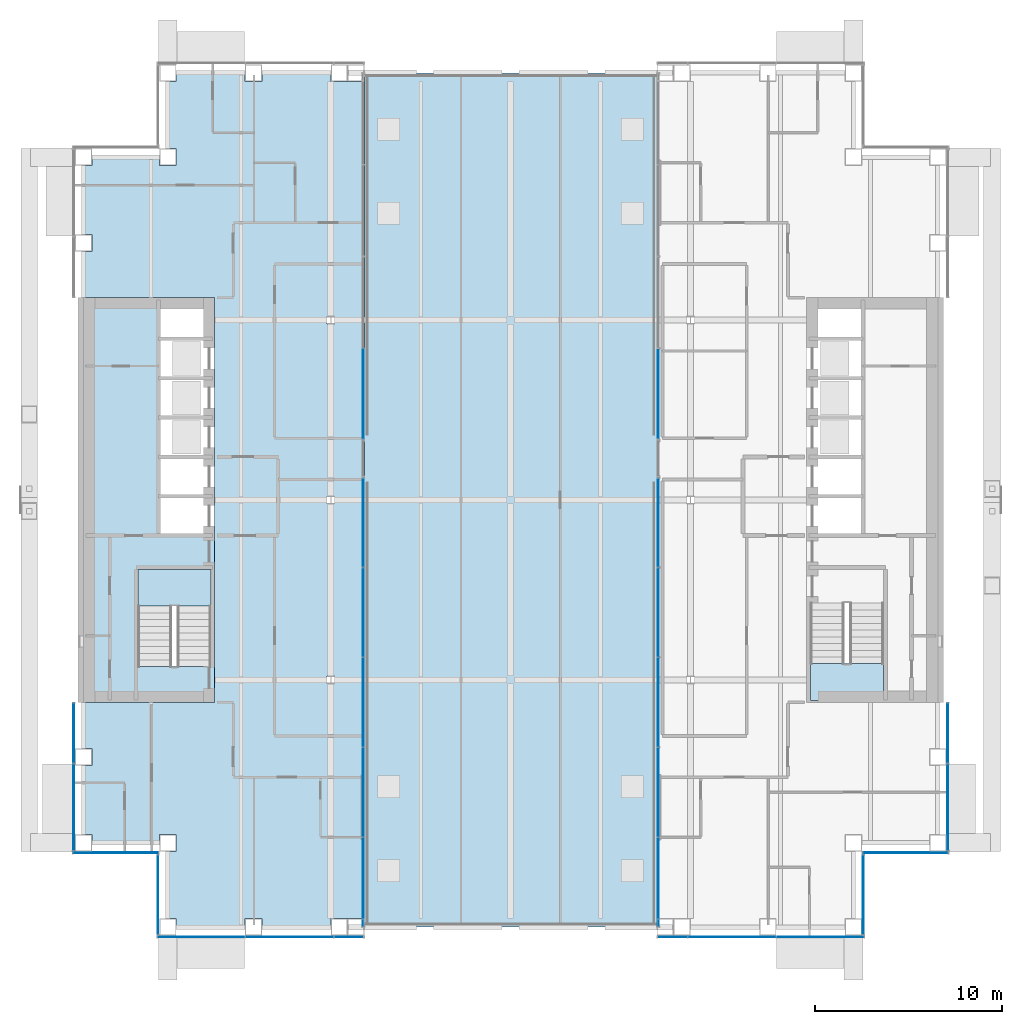
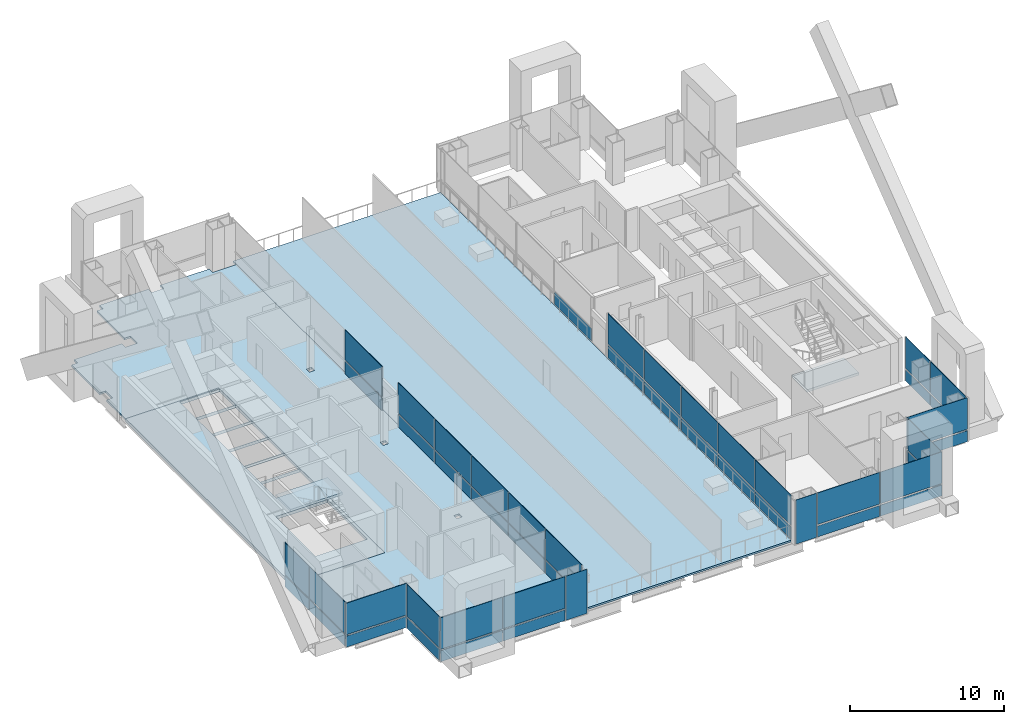
# One storey, part 11 of 20: 49 plates, 5 slabs, 14 elements without a shape of their own.
"""IFC4 building model written with IfcOpenShell, lengths in metres."""

from ifc_helpers import new_model, si_unit, direction, frame, origin, origin_2d, place, context, subcontext, project, spatial, polyline, rectangle, outline, extrude, material, layer, layer_set, type_object, element, aggregate, save


model = new_model("IFC4")

# Units and contexts
model_context = context("Model", 3, precision=1e-05, world=origin(), true_north=direction((0.0, 1.0)))
body_context = subcontext(model_context, "Body", "Model", "MODEL_VIEW")
ifc_project = project(units=[si_unit("LENGTHUNIT", "METRE"), si_unit("AREAUNIT", "SQUARE_METRE"), si_unit("VOLUMEUNIT", "CUBIC_METRE"), si_unit("PLANEANGLEUNIT", "RADIAN"), si_unit("MASSUNIT", "GRAM", prefix="KILO")], contexts=[model_context])

# Site, building, storey
site_placement = place(None, origin())
site = spatial("IfcSite", under=ifc_project, at=site_placement, CompositionType="ELEMENT")
building_placement = place(site_placement, origin())
building = spatial("IfcBuilding", under=site, at=building_placement, Name="Cobrizo Arcos Hotel Tower", CompositionType="ELEMENT")
storey_placement = place(building_placement, frame((0.0, 0.0, 117.0)))
storey = spatial("IfcBuildingStorey", under=building, at=storey_placement, Name="L29", CompositionType="ELEMENT", Elevation=117.0)

# Curtain wall, plates
ifc_material_1 = material(Name="Aluminium 6063-T6 anodised bronze", Category="aluminium")
curtain_wall_type_1 = type_object("IfcCurtainWallType", Name="CW-A guest facade", PredefinedType="NOTDEFINED", material=ifc_material_1)
curtain_wall_1_placement = place(storey_placement, origin())
curtain_wall_1 = element("IfcCurtainWall", 1, at=curtain_wall_1_placement, inside=storey, type_object=curtain_wall_type_1, Name="CW-A L29 S face", PredefinedType="NOTDEFINED")
ifc_material_2 = material(Name="Glass clear laminated low-e", Category="glass")
ifc_layer_1 = layer(ifc_material_2, 0.0400390625)
ifc_layer_set_1 = layer_set([ifc_layer_1], Name="CW-A glass panel")
plate_type_1 = type_object("IfcPlateType", Name="CW-A glass panel", PredefinedType="CURTAIN_PANEL", material=ifc_layer_set_1)
plate_1_placement = place(storey_placement, frame((-16.5224609375, -23.324951171875, 0.990234375), z_axis=(0.0, 0.0, 1.0), x_axis=(1.0, 0.0, 0.0)))
plate_1 = element("IfcPlate", 2, at=plate_1_placement, type_object=plate_type_1, Name="CW-A glass panel 1107", PredefinedType="CURTAIN_PANEL", context=body_context, shape_type="SweptSolid", body=[
    extrude(rectangle(XDim=4.635009765625, YDim=0.0400390625, at=origin_2d()), origin(), (0.0, 0.0, 1.0), 2.510009765625),
])
plate_2_placement = place(storey_placement, frame((-11.8125, -23.324951171875, 0.990234375), z_axis=(0.0, 0.0, 1.0), x_axis=(1.0, 0.0, 0.0)))
plate_2 = element("IfcPlate", 3, at=plate_2_placement, type_object=plate_type_1, Name="CW-A glass panel 1108", PredefinedType="CURTAIN_PANEL", context=body_context, shape_type="SweptSolid", body=[
    extrude(rectangle(XDim=4.6650390625, YDim=0.0400390625, at=origin_2d()), origin(), (0.0, 0.0, 1.0), 2.510009765625),
])

curtain_wall_2_placement = place(storey_placement, origin())
curtain_wall_2 = element("IfcCurtainWall", 4, at=curtain_wall_2_placement, inside=storey, type_object=curtain_wall_type_1, Name="CW-A L29 S face", PredefinedType="NOTDEFINED")
plate_3_placement = place(storey_placement, frame((11.8125, -23.324951171875, 0.990234375), z_axis=(0.0, 0.0, 1.0), x_axis=(1.0, 0.0, 0.0)))
plate_3 = element("IfcPlate", 5, at=plate_3_placement, type_object=plate_type_1, Name="CW-A glass panel 1111", PredefinedType="CURTAIN_PANEL", context=body_context, shape_type="SweptSolid", body=[
    extrude(rectangle(XDim=4.6650390625, YDim=0.0400390625, at=origin_2d()), origin(), (0.0, 0.0, 1.0), 2.510009765625),
])
plate_4_placement = place(storey_placement, frame((16.5224609375, -23.324951171875, 0.990234375), z_axis=(0.0, 0.0, 1.0), x_axis=(1.0, 0.0, 0.0)))
plate_4 = element("IfcPlate", 6, at=plate_4_placement, type_object=plate_type_1, Name="CW-A glass panel 1112", PredefinedType="CURTAIN_PANEL", context=body_context, shape_type="SweptSolid", body=[
    extrude(rectangle(XDim=4.635009765625, YDim=0.0400390625, at=origin_2d()), origin(), (0.0, 0.0, 1.0), 2.510009765625),
])

# Curtain wall, plate
curtain_wall_3_placement = place(storey_placement, origin())
curtain_wall_3 = element("IfcCurtainWall", 7, at=curtain_wall_3_placement, inside=storey, type_object=curtain_wall_type_1, Name="CW-A L29 E face", PredefinedType="NOTDEFINED")
plate_5_placement = place(storey_placement, frame((18.824951171875, -21.074951171875, 0.990234375), z_axis=(0.0, 0.0, 1.0), x_axis=(0.0, 1.0, 0.0)))
plate_5 = element("IfcPlate", 8, at=plate_5_placement, type_object=plate_type_1, Name="CW-A glass panel 1113", PredefinedType="CURTAIN_PANEL", context=body_context, shape_type="SweptSolid", body=[
    extrude(rectangle(XDim=4.22998046875, YDim=0.0400390625, at=origin_2d()), origin(), (0.0, 0.0, 1.0), 2.510009765625),
])

curtain_wall_4_placement = place(storey_placement, origin())
curtain_wall_4 = element("IfcCurtainWall", 9, at=curtain_wall_4_placement, inside=storey, type_object=curtain_wall_type_1, Name="CW-A L29 S face", PredefinedType="NOTDEFINED")
plate_6_placement = place(storey_placement, frame((21.074951171875, -18.824951171875, 0.990234375), z_axis=(0.0, 0.0, 1.0), x_axis=(1.0, 0.0, 0.0)))
plate_6 = element("IfcPlate", 10, at=plate_6_placement, type_object=plate_type_1, Name="CW-A glass panel 1114", PredefinedType="CURTAIN_PANEL", context=body_context, shape_type="SweptSolid", body=[
    extrude(rectangle(XDim=4.530029296875, YDim=0.0400390625, at=origin_2d()), origin(), (0.0, 0.0, 1.0), 2.510009765625),
])

# Curtain wall, plates
curtain_wall_5_placement = place(storey_placement, origin())
curtain_wall_5 = element("IfcCurtainWall", 11, at=curtain_wall_5_placement, inside=storey, type_object=curtain_wall_type_1, Name="CW-A L29 E face", PredefinedType="NOTDEFINED")
plate_7_placement = place(storey_placement, frame((23.324951171875, -16.391357421875, 0.990234375), z_axis=(0.0, 0.0, 1.0), x_axis=(0.0, 1.0, 0.0)))
plate_7 = element("IfcPlate", 12, at=plate_7_placement, type_object=plate_type_1, Name="CW-A glass panel 1115", PredefinedType="CURTAIN_PANEL", context=body_context, shape_type="SweptSolid", body=[
    extrude(rectangle(XDim=4.597412109375, YDim=0.0400390625, at=origin_2d()), origin(), (0.0, 0.0, 1.0), 2.510009765625),
])
plate_8_placement = place(storey_placement, frame((23.324951171875, -12.4462890625, 0.990234375), z_axis=(0.0, 0.0, 1.0), x_axis=(0.0, 1.0, 0.0)))
plate_8 = element("IfcPlate", 13, at=plate_8_placement, type_object=plate_type_1, Name="CW-A glass panel 1116", PredefinedType="CURTAIN_PANEL", context=body_context, shape_type="SweptSolid", body=[
    extrude(rectangle(XDim=3.172607421875, YDim=0.0400390625, at=origin_2d()), origin(), (0.0, 0.0, 1.0), 2.510009765625),
])

curtain_wall_6_placement = place(storey_placement, origin())
curtain_wall_6 = element("IfcCurtainWall", 14, at=curtain_wall_6_placement, inside=storey, type_object=curtain_wall_type_1, Name="CW-A L29 W face", PredefinedType="NOTDEFINED")
plate_9_placement = place(storey_placement, frame((-23.324951171875, -12.4462890625, 0.990234375), z_axis=(0.0, 0.0, 1.0), x_axis=(0.0, -1.0, 0.0)))
plate_9 = element("IfcPlate", 15, at=plate_9_placement, type_object=plate_type_1, Name="CW-A glass panel 1131", PredefinedType="CURTAIN_PANEL", context=body_context, shape_type="SweptSolid", body=[
    extrude(rectangle(XDim=3.172607421875, YDim=0.0400390625, at=origin_2d()), origin(), (0.0, 0.0, 1.0), 2.510009765625),
])
plate_10_placement = place(storey_placement, frame((-23.324951171875, -16.391357421875, 0.990234375), z_axis=(0.0, 0.0, 1.0), x_axis=(0.0, -1.0, 0.0)))
plate_10 = element("IfcPlate", 16, at=plate_10_placement, type_object=plate_type_1, Name="CW-A glass panel 1132", PredefinedType="CURTAIN_PANEL", context=body_context, shape_type="SweptSolid", body=[
    extrude(rectangle(XDim=4.597412109375, YDim=0.0400390625, at=origin_2d()), origin(), (0.0, 0.0, 1.0), 2.510009765625),
])

# Curtain wall, plate
curtain_wall_7_placement = place(storey_placement, origin())
curtain_wall_7 = element("IfcCurtainWall", 17, at=curtain_wall_7_placement, inside=storey, type_object=curtain_wall_type_1, Name="CW-A L29 S face", PredefinedType="NOTDEFINED")
plate_11_placement = place(storey_placement, frame((-21.074951171875, -18.824951171875, 0.990234375), z_axis=(0.0, 0.0, 1.0), x_axis=(1.0, 0.0, 0.0)))
plate_11 = element("IfcPlate", 18, at=plate_11_placement, type_object=plate_type_1, Name="CW-A glass panel 1133", PredefinedType="CURTAIN_PANEL", context=body_context, shape_type="SweptSolid", body=[
    extrude(rectangle(XDim=4.530029296875, YDim=0.0400390625, at=origin_2d()), origin(), (0.0, 0.0, 1.0), 2.510009765625),
])

curtain_wall_8_placement = place(storey_placement, origin())
curtain_wall_8 = element("IfcCurtainWall", 19, at=curtain_wall_8_placement, inside=storey, type_object=curtain_wall_type_1, Name="CW-A L29 W face", PredefinedType="NOTDEFINED")
plate_12_placement = place(storey_placement, frame((-18.824951171875, -21.074951171875, 0.990234375), z_axis=(0.0, 0.0, 1.0), x_axis=(0.0, -1.0, 0.0)))
plate_12 = element("IfcPlate", 20, at=plate_12_placement, type_object=plate_type_1, Name="CW-A glass panel 1134", PredefinedType="CURTAIN_PANEL", context=body_context, shape_type="SweptSolid", body=[
    extrude(rectangle(XDim=4.22998046875, YDim=0.0400390625, at=origin_2d()), origin(), (0.0, 0.0, 1.0), 2.510009765625),
])

# Plate
ifc_material_3 = material(Name="Aluminium composite panel pale metal", Category="aluminium")
ifc_layer_2 = layer(ifc_material_3, 0.0400390625)
ifc_layer_set_2 = layer_set([ifc_layer_2], Name="CW-A spandrel panel")
plate_type_2 = type_object("IfcPlateType", Name="CW-A spandrel panel", PredefinedType="CURTAIN_PANEL", material=ifc_layer_set_2)
plate_13_placement = place(storey_placement, frame((-16.5224609375, -23.324951171875, 0.0), z_axis=(0.0, 0.0, 1.0), x_axis=(1.0, 0.0, 0.0)))
plate_13 = element("IfcPlate", 21, at=plate_13_placement, type_object=plate_type_2, Name="CW-A spandrel panel 1107", PredefinedType="CURTAIN_PANEL", context=body_context, shape_type="SweptSolid", body=[
    extrude(rectangle(XDim=4.635009765625, YDim=0.0400390625, at=origin_2d()), origin(), (0.0, 0.0, 1.0), 0.8701171875),
])

plate_14_placement = place(storey_placement, frame((-11.8125, -23.324951171875, 0.0), z_axis=(0.0, 0.0, 1.0), x_axis=(1.0, 0.0, 0.0)))
plate_14 = element("IfcPlate", 22, at=plate_14_placement, type_object=plate_type_2, Name="CW-A spandrel panel 1108", PredefinedType="CURTAIN_PANEL", context=body_context, shape_type="SweptSolid", body=[
    extrude(rectangle(XDim=4.6650390625, YDim=0.0400390625, at=origin_2d()), origin(), (0.0, 0.0, 1.0), 0.8701171875),
])

plate_15_placement = place(storey_placement, frame((-8.639892578125, -23.324951171875, 0.0), z_axis=(0.0, 0.0, 1.0), x_axis=(1.0, 0.0, 0.0)))
plate_15 = element("IfcPlate", 23, at=plate_15_placement, type_object=plate_type_2, Name="CW-A spandrel panel 1109", PredefinedType="CURTAIN_PANEL", context=body_context, shape_type="SweptSolid", body=[
    extrude(rectangle(XDim=1.56005859375, YDim=0.0400390625, at=origin_2d()), origin(), (0.0, 0.0, 1.0), 3.5),
])

aggregate(curtain_wall_1, [plate_13, plate_1, plate_14, plate_2, plate_15])

plate_16_placement = place(storey_placement, frame((8.639892578125, -23.324951171875, 0.0), z_axis=(0.0, 0.0, 1.0), x_axis=(1.0, 0.0, 0.0)))
plate_16 = element("IfcPlate", 24, at=plate_16_placement, type_object=plate_type_2, Name="CW-A spandrel panel 1110", PredefinedType="CURTAIN_PANEL", context=body_context, shape_type="SweptSolid", body=[
    extrude(rectangle(XDim=1.56005859375, YDim=0.0400390625, at=origin_2d()), origin(), (0.0, 0.0, 1.0), 3.5),
])

plate_17_placement = place(storey_placement, frame((11.8125, -23.324951171875, 0.0), z_axis=(0.0, 0.0, 1.0), x_axis=(1.0, 0.0, 0.0)))
plate_17 = element("IfcPlate", 25, at=plate_17_placement, type_object=plate_type_2, Name="CW-A spandrel panel 1111", PredefinedType="CURTAIN_PANEL", context=body_context, shape_type="SweptSolid", body=[
    extrude(rectangle(XDim=4.6650390625, YDim=0.0400390625, at=origin_2d()), origin(), (0.0, 0.0, 1.0), 0.8701171875),
])

plate_18_placement = place(storey_placement, frame((16.5224609375, -23.324951171875, 0.0), z_axis=(0.0, 0.0, 1.0), x_axis=(1.0, 0.0, 0.0)))
plate_18 = element("IfcPlate", 26, at=plate_18_placement, type_object=plate_type_2, Name="CW-A spandrel panel 1112", PredefinedType="CURTAIN_PANEL", context=body_context, shape_type="SweptSolid", body=[
    extrude(rectangle(XDim=4.635009765625, YDim=0.0400390625, at=origin_2d()), origin(), (0.0, 0.0, 1.0), 0.8701171875),
])

aggregate(curtain_wall_2, [plate_16, plate_17, plate_3, plate_18, plate_4])

plate_19_placement = place(storey_placement, frame((18.824951171875, -21.074951171875, 0.0), z_axis=(0.0, 0.0, 1.0), x_axis=(0.0, 1.0, 0.0)))
plate_19 = element("IfcPlate", 27, at=plate_19_placement, type_object=plate_type_2, Name="CW-A spandrel panel 1113", PredefinedType="CURTAIN_PANEL", context=body_context, shape_type="SweptSolid", body=[
    extrude(rectangle(XDim=4.22998046875, YDim=0.0400390625, at=origin_2d()), origin(), (0.0, 0.0, 1.0), 0.8701171875),
])

aggregate(curtain_wall_3, [plate_19, plate_5])

plate_20_placement = place(storey_placement, frame((21.074951171875, -18.824951171875, 0.0), z_axis=(0.0, 0.0, 1.0), x_axis=(1.0, 0.0, 0.0)))
plate_20 = element("IfcPlate", 28, at=plate_20_placement, type_object=plate_type_2, Name="CW-A spandrel panel 1114", PredefinedType="CURTAIN_PANEL", context=body_context, shape_type="SweptSolid", body=[
    extrude(rectangle(XDim=4.530029296875, YDim=0.0400390625, at=origin_2d()), origin(), (0.0, 0.0, 1.0), 0.8701171875),
])

aggregate(curtain_wall_4, [plate_20, plate_6])

plate_21_placement = place(storey_placement, frame((23.324951171875, -16.391357421875, 0.0), z_axis=(0.0, 0.0, 1.0), x_axis=(0.0, 1.0, 0.0)))
plate_21 = element("IfcPlate", 29, at=plate_21_placement, type_object=plate_type_2, Name="CW-A spandrel panel 1115", PredefinedType="CURTAIN_PANEL", context=body_context, shape_type="SweptSolid", body=[
    extrude(rectangle(XDim=4.597412109375, YDim=0.0400390625, at=origin_2d()), origin(), (0.0, 0.0, 1.0), 0.8701171875),
])

plate_22_placement = place(storey_placement, frame((23.324951171875, -12.4462890625, 0.0), z_axis=(0.0, 0.0, 1.0), x_axis=(0.0, 1.0, 0.0)))
plate_22 = element("IfcPlate", 30, at=plate_22_placement, type_object=plate_type_2, Name="CW-A spandrel panel 1116", PredefinedType="CURTAIN_PANEL", context=body_context, shape_type="SweptSolid", body=[
    extrude(rectangle(XDim=3.172607421875, YDim=0.0400390625, at=origin_2d()), origin(), (0.0, 0.0, 1.0), 0.8701171875),
])

aggregate(curtain_wall_5, [plate_21, plate_7, plate_22, plate_8])

plate_23_placement = place(storey_placement, frame((-23.324951171875, -12.4462890625, 0.0), z_axis=(0.0, 0.0, 1.0), x_axis=(0.0, -1.0, 0.0)))
plate_23 = element("IfcPlate", 31, at=plate_23_placement, type_object=plate_type_2, Name="CW-A spandrel panel 1131", PredefinedType="CURTAIN_PANEL", context=body_context, shape_type="SweptSolid", body=[
    extrude(rectangle(XDim=3.172607421875, YDim=0.0400390625, at=origin_2d()), origin(), (0.0, 0.0, 1.0), 0.8701171875),
])

plate_24_placement = place(storey_placement, frame((-23.324951171875, -16.391357421875, 0.0), z_axis=(0.0, 0.0, 1.0), x_axis=(0.0, -1.0, 0.0)))
plate_24 = element("IfcPlate", 32, at=plate_24_placement, type_object=plate_type_2, Name="CW-A spandrel panel 1132", PredefinedType="CURTAIN_PANEL", context=body_context, shape_type="SweptSolid", body=[
    extrude(rectangle(XDim=4.597412109375, YDim=0.0400390625, at=origin_2d()), origin(), (0.0, 0.0, 1.0), 0.8701171875),
])

aggregate(curtain_wall_6, [plate_23, plate_9, plate_24, plate_10])

plate_25_placement = place(storey_placement, frame((-21.074951171875, -18.824951171875, 0.0), z_axis=(0.0, 0.0, 1.0), x_axis=(1.0, 0.0, 0.0)))
plate_25 = element("IfcPlate", 33, at=plate_25_placement, type_object=plate_type_2, Name="CW-A spandrel panel 1133", PredefinedType="CURTAIN_PANEL", context=body_context, shape_type="SweptSolid", body=[
    extrude(rectangle(XDim=4.530029296875, YDim=0.0400390625, at=origin_2d()), origin(), (0.0, 0.0, 1.0), 0.8701171875),
])

aggregate(curtain_wall_7, [plate_25, plate_11])

plate_26_placement = place(storey_placement, frame((-18.824951171875, -21.074951171875, 0.0), z_axis=(0.0, 0.0, 1.0), x_axis=(0.0, -1.0, 0.0)))
plate_26 = element("IfcPlate", 34, at=plate_26_placement, type_object=plate_type_2, Name="CW-A spandrel panel 1134", PredefinedType="CURTAIN_PANEL", context=body_context, shape_type="SweptSolid", body=[
    extrude(rectangle(XDim=4.22998046875, YDim=0.0400390625, at=origin_2d()), origin(), (0.0, 0.0, 1.0), 0.8701171875),
])

aggregate(curtain_wall_8, [plate_26, plate_12])

# Curtain wall, plates
curtain_wall_type_2 = type_object("IfcCurtainWallType", Name="CW-F void screen", PredefinedType="NOTDEFINED", material=ifc_material_1)
curtain_wall_9_placement = place(storey_placement, origin())
curtain_wall_9 = element("IfcCurtainWall", 35, at=curtain_wall_9_placement, inside=storey, type_object=curtain_wall_type_2, Name="CW-F L29 void screen B", PredefinedType="NOTDEFINED")
ifc_layer_3 = layer(ifc_material_2, 0.0400390625)
ifc_layer_set_3 = layer_set([ifc_layer_3], Name="CW-F glass panel")
plate_type_3 = type_object("IfcPlateType", Name="CW-F glass panel", PredefinedType="CURTAIN_PANEL", material=ifc_layer_set_3)
plate_27_placement = place(storey_placement, frame((7.875, -20.385009765625, 0.0), z_axis=(0.0, 0.0, 1.0), x_axis=(0.0, 1.0, 0.0)))
plate_27 = element("IfcPlate", 36, at=plate_27_placement, type_object=plate_type_3, Name="CW-F glass panel 2568", PredefinedType="CURTAIN_PANEL", context=body_context, shape_type="SweptSolid", body=[
    extrude(rectangle(XDim=4.7099609375, YDim=0.0400390625, at=origin_2d()), origin(), (0.0, 0.0, 1.0), 0.989990234375),
])
plate_28_placement = place(storey_placement, frame((7.875, -20.385009765625, 1.10986328125), z_axis=(0.0, 0.0, 1.0), x_axis=(0.0, 1.0, 0.0)))
plate_28 = element("IfcPlate", 37, at=plate_28_placement, type_object=plate_type_3, Name="CW-F glass panel 2568", PredefinedType="CURTAIN_PANEL", context=body_context, shape_type="SweptSolid", body=[
    extrude(rectangle(XDim=4.7099609375, YDim=0.0400390625, at=origin_2d()), origin(), (0.0, 0.0, 1.0), 2.389892578125),
])
plate_29_placement = place(storey_placement, frame((7.875, -15.60009765625, 0.0), z_axis=(0.0, 0.0, 1.0), x_axis=(0.0, 1.0, 0.0)))
plate_29 = element("IfcPlate", 38, at=plate_29_placement, type_object=plate_type_3, Name="CW-F glass panel 2569", PredefinedType="CURTAIN_PANEL", context=body_context, shape_type="SweptSolid", body=[
    extrude(rectangle(XDim=4.739990234375, YDim=0.0400390625, at=origin_2d()), origin(), (0.0, 0.0, 1.0), 0.989990234375),
])
plate_30_placement = place(storey_placement, frame((7.875, -15.60009765625, 1.10986328125), z_axis=(0.0, 0.0, 1.0), x_axis=(0.0, 1.0, 0.0)))
plate_30 = element("IfcPlate", 39, at=plate_30_placement, type_object=plate_type_3, Name="CW-F glass panel 2569", PredefinedType="CURTAIN_PANEL", context=body_context, shape_type="SweptSolid", body=[
    extrude(rectangle(XDim=4.739990234375, YDim=0.0400390625, at=origin_2d()), origin(), (0.0, 0.0, 1.0), 2.389892578125),
])
plate_31_placement = place(storey_placement, frame((7.875, -10.800048828125, 0.0), z_axis=(0.0, 0.0, 1.0), x_axis=(0.0, 1.0, 0.0)))
plate_31 = element("IfcPlate", 40, at=plate_31_placement, type_object=plate_type_3, Name="CW-F glass panel 2570", PredefinedType="CURTAIN_PANEL", context=body_context, shape_type="SweptSolid", body=[
    extrude(rectangle(XDim=4.739990234375, YDim=0.0400390625, at=origin_2d()), origin(), (0.0, 0.0, 1.0), 0.989990234375),
])
plate_32_placement = place(storey_placement, frame((7.875, -10.800048828125, 1.10986328125), z_axis=(0.0, 0.0, 1.0), x_axis=(0.0, 1.0, 0.0)))
plate_32 = element("IfcPlate", 41, at=plate_32_placement, type_object=plate_type_3, Name="CW-F glass panel 2570", PredefinedType="CURTAIN_PANEL", context=body_context, shape_type="SweptSolid", body=[
    extrude(rectangle(XDim=4.739990234375, YDim=0.0400390625, at=origin_2d()), origin(), (0.0, 0.0, 1.0), 2.389892578125),
])
plate_33_placement = place(storey_placement, frame((7.875, -6.0, 0.0), z_axis=(0.0, 0.0, 1.0), x_axis=(0.0, 1.0, 0.0)))
plate_33 = element("IfcPlate", 42, at=plate_33_placement, type_object=plate_type_3, Name="CW-F glass panel 2571", PredefinedType="CURTAIN_PANEL", context=body_context, shape_type="SweptSolid", body=[
    extrude(rectangle(XDim=4.739990234375, YDim=0.0400390625, at=origin_2d()), origin(), (0.0, 0.0, 1.0), 0.989990234375),
])
plate_34_placement = place(storey_placement, frame((7.875, -6.0, 1.10986328125), z_axis=(0.0, 0.0, 1.0), x_axis=(0.0, 1.0, 0.0)))
plate_34 = element("IfcPlate", 43, at=plate_34_placement, type_object=plate_type_3, Name="CW-F glass panel 2571", PredefinedType="CURTAIN_PANEL", context=body_context, shape_type="SweptSolid", body=[
    extrude(rectangle(XDim=4.739990234375, YDim=0.0400390625, at=origin_2d()), origin(), (0.0, 0.0, 1.0), 2.389892578125),
])
plate_35_placement = place(storey_placement, frame((7.875, -1.215087890625, 0.0), z_axis=(0.0, 0.0, 1.0), x_axis=(0.0, 1.0, 0.0)))
plate_35 = element("IfcPlate", 44, at=plate_35_placement, type_object=plate_type_3, Name="CW-F glass panel 2572", PredefinedType="CURTAIN_PANEL", context=body_context, shape_type="SweptSolid", body=[
    extrude(rectangle(XDim=4.7099609375, YDim=0.0400390625, at=origin_2d()), origin(), (0.0, 0.0, 1.0), 0.989990234375),
])
plate_36_placement = place(storey_placement, frame((7.875, -1.215087890625, 1.10986328125), z_axis=(0.0, 0.0, 1.0), x_axis=(0.0, 1.0, 0.0)))
plate_36 = element("IfcPlate", 45, at=plate_36_placement, type_object=plate_type_3, Name="CW-F glass panel 2572", PredefinedType="CURTAIN_PANEL", context=body_context, shape_type="SweptSolid", body=[
    extrude(rectangle(XDim=4.7099609375, YDim=0.0400390625, at=origin_2d()), origin(), (0.0, 0.0, 1.0), 2.389892578125),
])
aggregate(curtain_wall_9, [plate_27, plate_28, plate_29, plate_30, plate_31, plate_32, plate_33, plate_34, plate_35, plate_36])

# Curtain wall, plate
curtain_wall_10_placement = place(storey_placement, origin())
curtain_wall_10 = element("IfcCurtainWall", 46, at=curtain_wall_10_placement, inside=storey, type_object=curtain_wall_type_2, Name="CW-F L29 void screen B", PredefinedType="NOTDEFINED")
plate_37_placement = place(storey_placement, frame((7.875, 5.6650390625, 0.0), z_axis=(0.0, 0.0, 1.0), x_axis=(0.0, 1.0, 0.0)))
plate_37 = element("IfcPlate", 47, at=plate_37_placement, type_object=plate_type_3, Name="CW-F glass panel 2573", PredefinedType="CURTAIN_PANEL", context=body_context, shape_type="SweptSolid", body=[
    extrude(rectangle(XDim=4.81005859375, YDim=0.0400390625, at=origin_2d()), origin(), (0.0, 0.0, 1.0), 0.989990234375),
])
aggregate(curtain_wall_10, [plate_37])

# Curtain wall, plates
curtain_wall_11_placement = place(storey_placement, origin())
curtain_wall_11 = element("IfcCurtainWall", 48, at=curtain_wall_11_placement, inside=storey, type_object=curtain_wall_type_2, Name="CW-F L29 void screen B", PredefinedType="NOTDEFINED")
plate_38_placement = place(storey_placement, frame((-7.875, 5.6650390625, 0.0), z_axis=(0.0, 0.0, 1.0), x_axis=(0.0, -1.0, 0.0)))
plate_38 = element("IfcPlate", 49, at=plate_38_placement, type_object=plate_type_3, Name="CW-F glass panel 2580", PredefinedType="CURTAIN_PANEL", context=body_context, shape_type="SweptSolid", body=[
    extrude(rectangle(XDim=4.81005859375, YDim=0.0400390625, at=origin_2d()), origin(), (0.0, 0.0, 1.0), 0.989990234375),
])
plate_39_placement = place(storey_placement, frame((-7.875, 5.6650390625, 1.10986328125), z_axis=(0.0, 0.0, 1.0), x_axis=(0.0, -1.0, 0.0)))
plate_39 = element("IfcPlate", 50, at=plate_39_placement, type_object=plate_type_3, Name="CW-F glass panel 2580", PredefinedType="CURTAIN_PANEL", context=body_context, shape_type="SweptSolid", body=[
    extrude(rectangle(XDim=4.81005859375, YDim=0.0400390625, at=origin_2d()), origin(), (0.0, 0.0, 1.0), 2.389892578125),
])
aggregate(curtain_wall_11, [plate_38, plate_39])

curtain_wall_12_placement = place(storey_placement, origin())
curtain_wall_12 = element("IfcCurtainWall", 51, at=curtain_wall_12_placement, inside=storey, type_object=curtain_wall_type_2, Name="CW-F L29 void screen B", PredefinedType="NOTDEFINED")
plate_40_placement = place(storey_placement, frame((-7.875, -1.215087890625, 0.0), z_axis=(0.0, 0.0, 1.0), x_axis=(0.0, -1.0, 0.0)))
plate_40 = element("IfcPlate", 52, at=plate_40_placement, type_object=plate_type_3, Name="CW-F glass panel 2581", PredefinedType="CURTAIN_PANEL", context=body_context, shape_type="SweptSolid", body=[
    extrude(rectangle(XDim=4.7099609375, YDim=0.0400390625, at=origin_2d()), origin(), (0.0, 0.0, 1.0), 0.989990234375),
])
plate_41_placement = place(storey_placement, frame((-7.875, -1.215087890625, 1.10986328125), z_axis=(0.0, 0.0, 1.0), x_axis=(0.0, -1.0, 0.0)))
plate_41 = element("IfcPlate", 53, at=plate_41_placement, type_object=plate_type_3, Name="CW-F glass panel 2581", PredefinedType="CURTAIN_PANEL", context=body_context, shape_type="SweptSolid", body=[
    extrude(rectangle(XDim=4.7099609375, YDim=0.0400390625, at=origin_2d()), origin(), (0.0, 0.0, 1.0), 2.389892578125),
])
plate_42_placement = place(storey_placement, frame((-7.875, -6.0, 0.0), z_axis=(0.0, 0.0, 1.0), x_axis=(0.0, -1.0, 0.0)))
plate_42 = element("IfcPlate", 54, at=plate_42_placement, type_object=plate_type_3, Name="CW-F glass panel 2582", PredefinedType="CURTAIN_PANEL", context=body_context, shape_type="SweptSolid", body=[
    extrude(rectangle(XDim=4.739990234375, YDim=0.0400390625, at=origin_2d()), origin(), (0.0, 0.0, 1.0), 0.989990234375),
])
plate_43_placement = place(storey_placement, frame((-7.875, -6.0, 1.10986328125), z_axis=(0.0, 0.0, 1.0), x_axis=(0.0, -1.0, 0.0)))
plate_43 = element("IfcPlate", 55, at=plate_43_placement, type_object=plate_type_3, Name="CW-F glass panel 2582", PredefinedType="CURTAIN_PANEL", context=body_context, shape_type="SweptSolid", body=[
    extrude(rectangle(XDim=4.739990234375, YDim=0.0400390625, at=origin_2d()), origin(), (0.0, 0.0, 1.0), 2.389892578125),
])
plate_44_placement = place(storey_placement, frame((-7.875, -10.800048828125, 0.0), z_axis=(0.0, 0.0, 1.0), x_axis=(0.0, -1.0, 0.0)))
plate_44 = element("IfcPlate", 56, at=plate_44_placement, type_object=plate_type_3, Name="CW-F glass panel 2583", PredefinedType="CURTAIN_PANEL", context=body_context, shape_type="SweptSolid", body=[
    extrude(rectangle(XDim=4.739990234375, YDim=0.0400390625, at=origin_2d()), origin(), (0.0, 0.0, 1.0), 0.989990234375),
])
plate_45_placement = place(storey_placement, frame((-7.875, -10.800048828125, 1.10986328125), z_axis=(0.0, 0.0, 1.0), x_axis=(0.0, -1.0, 0.0)))
plate_45 = element("IfcPlate", 57, at=plate_45_placement, type_object=plate_type_3, Name="CW-F glass panel 2583", PredefinedType="CURTAIN_PANEL", context=body_context, shape_type="SweptSolid", body=[
    extrude(rectangle(XDim=4.739990234375, YDim=0.0400390625, at=origin_2d()), origin(), (0.0, 0.0, 1.0), 2.389892578125),
])
plate_46_placement = place(storey_placement, frame((-7.875, -15.60009765625, 0.0), z_axis=(0.0, 0.0, 1.0), x_axis=(0.0, -1.0, 0.0)))
plate_46 = element("IfcPlate", 58, at=plate_46_placement, type_object=plate_type_3, Name="CW-F glass panel 2584", PredefinedType="CURTAIN_PANEL", context=body_context, shape_type="SweptSolid", body=[
    extrude(rectangle(XDim=4.739990234375, YDim=0.0400390625, at=origin_2d()), origin(), (0.0, 0.0, 1.0), 0.989990234375),
])
plate_47_placement = place(storey_placement, frame((-7.875, -15.60009765625, 1.10986328125), z_axis=(0.0, 0.0, 1.0), x_axis=(0.0, -1.0, 0.0)))
plate_47 = element("IfcPlate", 59, at=plate_47_placement, type_object=plate_type_3, Name="CW-F glass panel 2584", PredefinedType="CURTAIN_PANEL", context=body_context, shape_type="SweptSolid", body=[
    extrude(rectangle(XDim=4.739990234375, YDim=0.0400390625, at=origin_2d()), origin(), (0.0, 0.0, 1.0), 2.389892578125),
])
plate_48_placement = place(storey_placement, frame((-7.875, -20.385009765625, 0.0), z_axis=(0.0, 0.0, 1.0), x_axis=(0.0, -1.0, 0.0)))
plate_48 = element("IfcPlate", 60, at=plate_48_placement, type_object=plate_type_3, Name="CW-F glass panel 2585", PredefinedType="CURTAIN_PANEL", context=body_context, shape_type="SweptSolid", body=[
    extrude(rectangle(XDim=4.7099609375, YDim=0.0400390625, at=origin_2d()), origin(), (0.0, 0.0, 1.0), 0.989990234375),
])
plate_49_placement = place(storey_placement, frame((-7.875, -20.385009765625, 1.10986328125), z_axis=(0.0, 0.0, 1.0), x_axis=(0.0, -1.0, 0.0)))
plate_49 = element("IfcPlate", 61, at=plate_49_placement, type_object=plate_type_3, Name="CW-F glass panel 2585", PredefinedType="CURTAIN_PANEL", context=body_context, shape_type="SweptSolid", body=[
    extrude(rectangle(XDim=4.7099609375, YDim=0.0400390625, at=origin_2d()), origin(), (0.0, 0.0, 1.0), 2.389892578125),
])
aggregate(curtain_wall_12, [plate_40, plate_41, plate_42, plate_43, plate_44, plate_45, plate_46, plate_47, plate_48, plate_49])

# Slabs
ifc_material_4 = material(Name="Concrete f'c 35 MPa", Category="concrete")
ifc_layer_4 = layer(ifc_material_4, 0.14990234375)
ifc_layer_set_4 = layer_set([ifc_layer_4], Name="Composite floor slab 150 f'c 35")
slab_type_1 = type_object("IfcSlabType", Name="Composite floor slab 150 f'c 35", PredefinedType="FLOOR", material=ifc_layer_set_4)
slab_1_placement = place(storey_placement, frame((0.0, 0.0, -0.14990234375)))
element("IfcSlab", 62, at=slab_1_placement, inside=storey, type_object=slab_type_1, Name="Floor slab S5, L29, no. 01", PredefinedType="FLOOR", context=body_context, shape_type="SweptSolid", body=[
    extrude(outline(polyline([(-17.85009765625, -22.35009765625), (-18.300048828125, -22.35009765625), (-18.300048828125, -18.75), (-17.85009765625, -18.75), (-17.85009765625, -17.85009765625), (-18.75, -17.85009765625), (-18.75, -18.300048828125), (-22.35009765625, -18.300048828125), (-22.35009765625, -17.85009765625), (-22.800048828125, -17.85009765625), (-22.800048828125, -14.175048828125), (-22.35009765625, -14.175048828125), (-22.35009765625, -13.27490234375), (-22.800048828125, -13.27490234375), (-22.800048828125, -10.800048828125), (-15.800048828125, -10.800048828125), (-15.800048828125, 10.800048828125), (-22.800048828125, 10.800048828125), (-22.800048828125, 13.27490234375), (-22.35009765625, 13.27490234375), (-22.35009765625, 14.175048828125), (-22.800048828125, 14.175048828125), (-22.800048828125, 17.85009765625), (-22.35009765625, 17.85009765625), (-22.35009765625, 18.300048828125), (-18.75, 18.300048828125), (-18.75, 17.85009765625), (-17.85009765625, 17.85009765625), (-17.85009765625, 18.75), (-18.300048828125, 18.75), (-18.300048828125, 22.35009765625), (-17.85009765625, 22.35009765625), (-17.85009765625, 22.800048828125), (-14.175048828125, 22.800048828125), (-14.175048828125, 22.35009765625), (-13.27490234375, 22.35009765625), (-13.27490234375, 22.800048828125), (-9.60009765625, 22.800048828125), (-9.60009765625, 22.35009765625), (-8.699951171875, 22.35009765625), (-7.800048828125, 22.35009765625), (-7.800048828125, 22.800048828125), (-7.800048828125, 22.800048828125), (-7.800048828125, -22.800048828125), (-7.800048828125, -22.800048828125), (-7.800048828125, -22.35009765625), (-8.699951171875, -22.35009765625), (-9.60009765625, -22.35009765625), (-9.60009765625, -22.800048828125), (-13.27490234375, -22.800048828125), (-13.27490234375, -22.35009765625), (-14.175048828125, -22.35009765625), (-14.175048828125, -22.800048828125), (-17.85009765625, -22.800048828125), (-17.85009765625, -22.35009765625)]), holes=[polyline([(-9.400634765625, -9.79931640625), (-9.400634765625, -9.400634765625), (-9.79931640625, -9.400634765625), (-9.79931640625, -9.79931640625), (-9.400634765625, -9.79931640625)]), polyline([(-9.400634765625, 0.199462890625), (-9.79931640625, 0.199462890625), (-9.79931640625, -0.199462890625), (-9.400634765625, -0.199462890625), (-9.400634765625, 0.199462890625)]), polyline([(-9.400634765625, 9.79931640625), (-9.79931640625, 9.79931640625), (-9.79931640625, 9.400634765625), (-9.400634765625, 9.400634765625), (-9.400634765625, 9.79931640625)])]), origin(), (0.0, 0.0, 1.0), 0.14990234375),
])
slab_2_placement = place(storey_placement, frame((0.0, 0.0, -0.14990234375)))
element("IfcSlab", 63, at=slab_2_placement, inside=storey, type_object=slab_type_1, Name="Floor slab S5, L29, no. 03", PredefinedType="FLOOR", context=body_context, shape_type="SweptSolid", body=[
    extrude(outline(polyline([(7.800048828125, 22.800048828125), (7.800048828125, -22.800048828125), (-7.800048828125, -22.800048828125), (-7.800048828125, 22.800048828125), (7.800048828125, 22.800048828125)])), origin(), (0.0, 0.0, 1.0), 0.14990234375),
])
ifc_material_5 = material(Name="Concrete f'c 50 MPa", Category="concrete")
ifc_layer_5 = layer(ifc_material_5, 0.25)
ifc_layer_set_5 = layer_set([ifc_layer_5], Name="RC core floor slab 250 f'c 50")
slab_type_2 = type_object("IfcSlabType", Name="RC core floor slab 250 f'c 50", PredefinedType="FLOOR", material=ifc_layer_set_5)
slab_3_placement = place(storey_placement, frame((0.0, 0.0, -0.25)))
element("IfcSlab", 64, at=slab_3_placement, inside=storey, type_object=slab_type_2, Name="Core floor slab CS5, west core, L29", PredefinedType="FLOOR", context=body_context, shape_type="SweptSolid", body=[
    extrude(outline(polyline([(-22.800048828125, 10.800048828125), (-15.800048828125, 10.800048828125), (-15.800048828125, -10.800048828125), (-22.800048828125, -10.800048828125), (-22.800048828125, 10.800048828125)]), holes=[polyline([(-19.89794921875, -3.701904296875), (-19.89794921875, -8.89794921875), (-16.001953125, -8.89794921875), (-16.001953125, -3.701904296875), (-19.89794921875, -3.701904296875)]), polyline([(-18.798095703125, 0.197998046875), (-18.798095703125, -1.89794921875), (-15.802001953125, -1.89794921875), (-15.802001953125, 0.197998046875), (-18.798095703125, 0.197998046875)]), polyline([(-15.802001953125, 2.298095703125), (-18.798095703125, 2.298095703125), (-18.798095703125, 0.201904296875), (-15.802001953125, 0.201904296875), (-15.802001953125, 2.298095703125)]), polyline([(-15.802001953125, 4.39794921875), (-18.798095703125, 4.39794921875), (-18.798095703125, 2.302001953125), (-15.802001953125, 2.302001953125), (-15.802001953125, 4.39794921875)]), polyline([(-18.798095703125, 6.498046875), (-18.798095703125, 4.402099609375), (-15.802001953125, 4.402099609375), (-15.802001953125, 6.498046875), (-18.798095703125, 6.498046875)]), polyline([(-15.802001953125, 8.597900390625), (-18.798095703125, 8.597900390625), (-18.798095703125, 6.501953125), (-15.802001953125, 6.501953125), (-15.802001953125, 8.597900390625)]), polyline([(-15.802001953125, 10.697998046875), (-18.798095703125, 10.697998046875), (-18.798095703125, 8.60205078125), (-15.802001953125, 8.60205078125), (-15.802001953125, 10.697998046875)])]), origin(), (0.0, 0.0, 1.0), 0.25),
])

# Stair, slab
ifc_material_6 = material(Name="Concrete f'c 40 MPa", Category="concrete")
stair_type = type_object("IfcStairType", Name="Exit stair", PredefinedType="HALF_TURN_STAIR", material=ifc_material_6)
stair_1_placement = place(storey_placement, origin())
stair_1 = element("IfcStair", 65, at=stair_1_placement, inside=storey, type_object=stair_type, Name="L29 Exit stair ST-W", PredefinedType="HALF_TURN_STAIR")
ifc_layer_6 = layer(ifc_material_6, 0.199951171875)
ifc_layer_set_6 = layer_set([ifc_layer_6], Name="Stair landing")
slab_type_3 = type_object("IfcSlabType", Name="Stair landing", PredefinedType="LANDING", material=ifc_layer_set_6)
slab_4_placement = place(storey_placement, frame((0.0, 0.0, 1.550048828125)))
slab_4 = element("IfcSlab", 66, at=slab_4_placement, type_object=slab_type_3, Name="ST-W landing 1", PredefinedType="LANDING", context=body_context, shape_type="SweptSolid", body=[
    extrude(outline(polyline([(-16.0, -5.659912109375), (-16.0, -3.699951171875), (-19.89990234375, -3.699951171875), (-19.89990234375, -5.659912109375), (-16.0, -5.659912109375)])), origin(), (0.0, 0.0, 1.0), 0.199951171875),
])
aggregate(stair_1, [slab_4])

stair_2_placement = place(storey_placement, origin())
stair_2 = element("IfcStair", 67, at=stair_2_placement, inside=storey, type_object=stair_type, Name="L29 Exit stair ST-E", PredefinedType="HALF_TURN_STAIR")
slab_5_placement = place(storey_placement, frame((0.0, 0.0, 1.550048828125)))
slab_5 = element("IfcSlab", 68, at=slab_5_placement, type_object=slab_type_3, Name="ST-E landing 1", PredefinedType="LANDING", context=body_context, shape_type="SweptSolid", body=[
    extrude(outline(polyline([(16.0, -8.739990234375), (16.0, -10.699951171875), (19.89990234375, -10.699951171875), (19.89990234375, -8.739990234375), (16.0, -8.739990234375)])), origin(), (0.0, 0.0, 1.0), 0.199951171875),
])
aggregate(stair_2, [slab_5])

save(model, "model.ifc")
